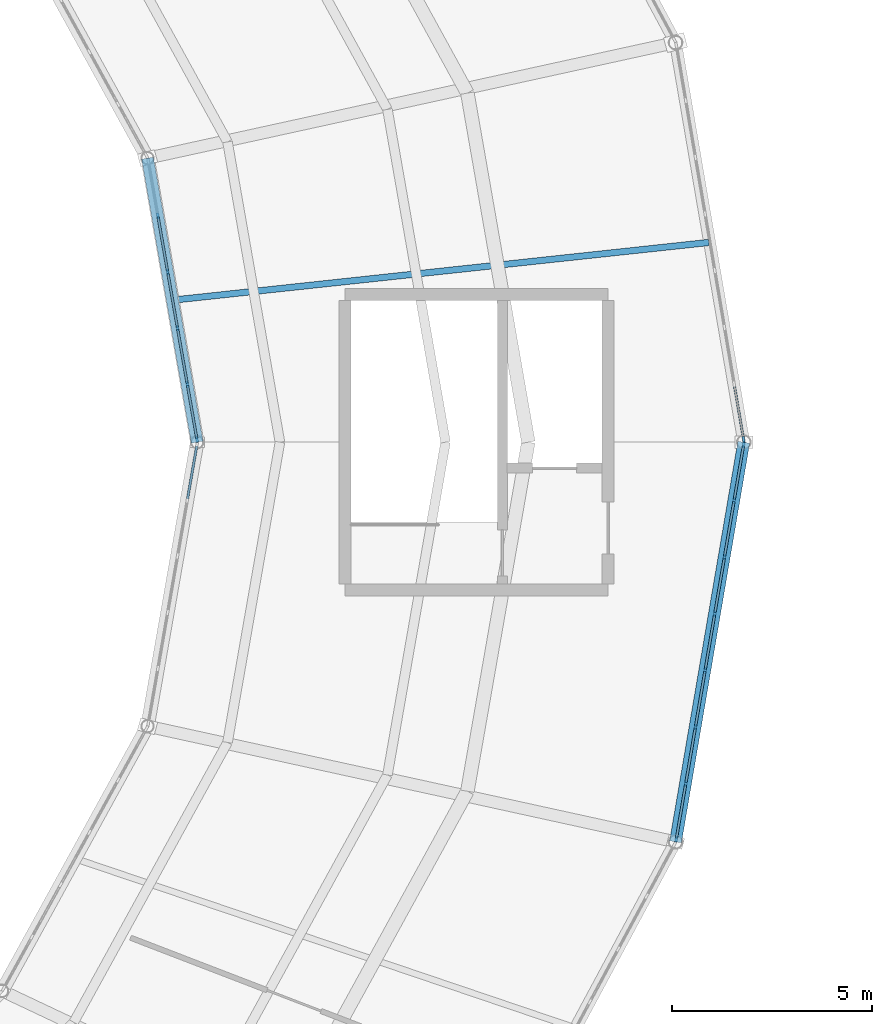
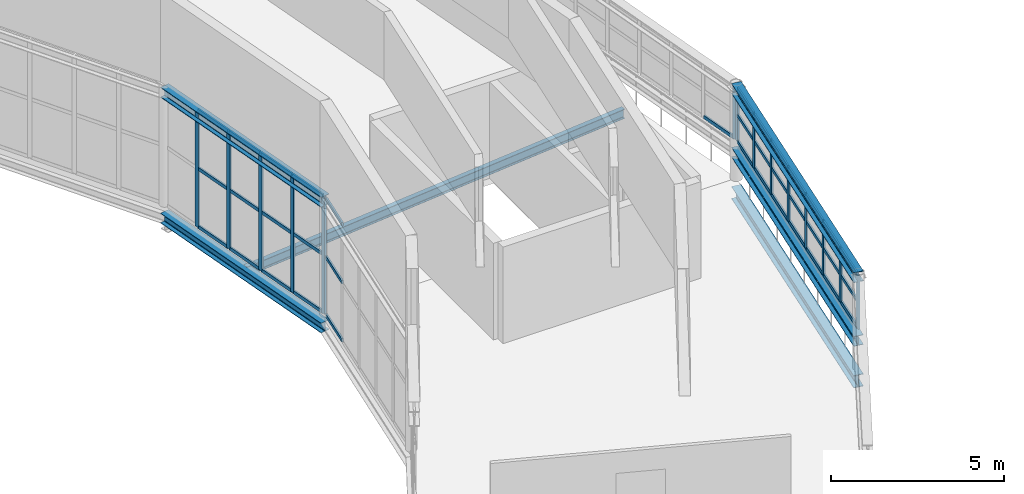
# One storey, part 64 of 123: 51 members, 6 beams, 4 elements without a shape of their own.
"""IFC4 building model written with IfcOpenShell, lengths in metres."""

import ifcopenshell
import ifcopenshell.guid

model = None  # the IFC model being written
_history = None  # IfcOwnerHistory: only IFC2X3 demands one
_inside = {}  # id of a spatial element -> (the spatial element, [elements in it])
_under = {}  # id of a project, library or spatial element -> (it, [spatial elements below it])
_declared = {}  # id of a project -> (the project, [libraries it declares])
_typed = {}  # id of a type object -> (the type object, [elements of that type])
_made_of = {}  # id of a material, layer set ... -> (it, [elements and type objects made of it])


def new_model(schema):
    """Start an empty IFC model of exactly this schema.

    Asked for "IFC4X3", IfcOpenShell would pick the latest addendum, in which some entities
    have other attributes; the version numbers below select the first issue.
    IFC2X3 requires an IfcOwnerHistory on every rooted entity: one is made here for all.
    """
    global model, _history
    if schema == "IFC4X3":
        model = ifcopenshell.file(schema_version=(4, 3, 0, 0))
    else:
        model = ifcopenshell.file(schema=schema)
    _inside.clear()
    _under.clear()
    _declared.clear()
    _typed.clear()
    _made_of.clear()
    _history = None
    if model.schema == "IFC2X3":
        org = make("IfcOrganization", Name="unknown")
        user = make(
            "IfcPersonAndOrganization",
            ThePerson=make("IfcPerson", FamilyName="unknown"),
            TheOrganization=org,
        )
        app = make(
            "IfcApplication",
            ApplicationDeveloper=org,
            Version="unknown",
            ApplicationFullName="unknown",
            ApplicationIdentifier="unknown",
        )
        _history = make(
            "IfcOwnerHistory",
            OwningUser=user,
            OwningApplication=app,
            ChangeAction="ADDED",
            CreationDate=0,
        )
    return model


def make(cls, **values):
    """One entity of the class cls with the attributes given. An attribute that is None is left unset."""
    return model.create_entity(
        cls, **{name: value for name, value in values.items() if value is not None}
    )


def rooted(cls, **values):
    """An entity with a GlobalId (a new one), such as an element, a storey or a relation."""
    return make(cls, GlobalId=ifcopenshell.guid.new(), OwnerHistory=_history, **values)


def si_unit(unit_type, name, prefix=None):
    """IfcSIUnit, for example si_unit("LENGTHUNIT", "METRE", prefix="MILLI")."""
    return make("IfcSIUnit", UnitType=unit_type, Prefix=prefix, Name=name)


def assignment(units):
    """IfcUnitAssignment: the units of a project."""
    return None if units is None else make("IfcUnitAssignment", Units=units)


def point(xyz):
    """IfcCartesianPoint."""
    return None if xyz is None else make("IfcCartesianPoint", Coordinates=xyz)


def direction(xyz):
    """IfcDirection."""
    return None if xyz is None else make("IfcDirection", DirectionRatios=xyz)


def frame(location, z_axis=None, x_axis=None):
    """IfcAxis2Placement3D, a coordinate frame: its origin and axes. An axis left out is left unset."""
    return make(
        "IfcAxis2Placement3D",
        Location=point(location),
        Axis=direction(z_axis),
        RefDirection=direction(x_axis),
    )


def frame_2d(location, x_axis=None):
    """IfcAxis2Placement2D, a coordinate frame in the plane: its origin and x axis."""
    return make(
        "IfcAxis2Placement2D", Location=point(location), RefDirection=direction(x_axis)
    )


def origin():
    """The frame at (0, 0, 0) with its axes left unset."""
    return frame((0.0, 0.0, 0.0))


def origin_2d():
    """The frame at (0, 0) in the plane with its x axis left unset."""
    return frame_2d((0.0, 0.0))


def place(relative_to, where):
    """IfcLocalPlacement: puts the frame where relative to a parent placement (None: the world)."""
    return make(
        "IfcLocalPlacement", PlacementRelTo=relative_to, RelativePlacement=where
    )


def context(
    kind, dimensions, precision=None, world=None, true_north=None, identifier=None
):
    """IfcGeometricRepresentationContext, for example the 3D "Model" context."""
    return make(
        "IfcGeometricRepresentationContext",
        ContextIdentifier=identifier,
        ContextType=kind,
        CoordinateSpaceDimension=dimensions,
        Precision=precision,
        WorldCoordinateSystem=world,
        TrueNorth=true_north,
    )


def subcontext(parent, identifier, kind, view, scale=None):
    """IfcGeometricRepresentationSubContext, for example "Body" below "Model"."""
    return make(
        "IfcGeometricRepresentationSubContext",
        ContextIdentifier=identifier,
        ContextType=kind,
        ParentContext=parent,
        TargetScale=scale,
        TargetView=view,
    )


def project(units=None, contexts=None):
    """IfcProject with its units and contexts."""
    return rooted(
        "IfcProject",
        Name="project",
        RepresentationContexts=contexts,
        UnitsInContext=assignment(units),
    )


def spatial(cls, under=None, at=None, **own):
    """A site, building, storey or space (cls), placed at a placement, below another one or the project."""
    s = rooted(cls, ObjectPlacement=at, **own)
    if under is not None:
        _under.setdefault(under.id(), (under, []))[1].append(s)
    return s


def profile(cls, at=None, kind="AREA", **sizes):
    """A parametric profile (cls). Its sizes go by their IFC names, for example OverallWidth=200.0."""
    return make(cls, ProfileType=kind, Position=at, **sizes)


def rectangle(**sizes):
    """IfcRectangleProfileDef."""
    return profile("IfcRectangleProfileDef", **sizes)


def i_section(**sizes):
    """IfcIShapeProfileDef."""
    return profile("IfcIShapeProfileDef", **sizes)


def extrude(swept, where, along, depth):
    """IfcExtrudedAreaSolid: the profile swept, set in the frame where, extruded along a direction by depth."""
    return make(
        "IfcExtrudedAreaSolid",
        SweptArea=swept,
        Position=where,
        ExtrudedDirection=direction(along),
        Depth=depth,
    )


def shape(context_of_items, identifier, shape_type, items):
    """IfcShapeRepresentation: the items that make up one representation, for example the "Body"."""
    return make(
        "IfcShapeRepresentation",
        ContextOfItems=context_of_items,
        RepresentationIdentifier=identifier,
        RepresentationType=shape_type,
        Items=items,
    )


def material(Name=None, Category=None):
    """IfcMaterial."""
    return make("IfcMaterial", Name=Name, Category=Category)


def material_profile(
    of_material, cross_section, Name=None, Category=None, Priority=None
):
    """IfcMaterialProfile: a cross section and its material."""
    return make(
        "IfcMaterialProfile",
        Name=Name,
        Material=of_material,
        Profile=cross_section,
        Priority=Priority,
        Category=Category,
    )


def profile_set(profiles, Name=None, composite=None):
    """IfcMaterialProfileSet."""
    return make(
        "IfcMaterialProfileSet",
        Name=Name,
        MaterialProfiles=profiles,
        CompositeProfile=composite,
    )


def made_of(thing, what):
    """Note that an element or type object is made of a material, layer set ...; save() writes the relation."""
    if what is not None:
        _made_of.setdefault(what.id(), (what, []))[1].append(thing)
    return thing


def type_object(cls, material=None, **own):
    """A type object (cls), such as IfcWallType, which elements share."""
    return made_of(rooted(cls, **own), material)


def element(
    cls,
    number,
    at=None,
    inside=None,
    cuts=None,
    type_object=None,
    material=None,
    context=None,
    identifier="Body",
    shape_type=None,
    held_by="IfcProductDefinitionShape",
    body=None,
    shapes=None,
    **own,
):
    """One element of the class cls, such as IfcWall. Its Tag is "e" and its number.

    at: its placement. inside: the storey or other place that contains it. cuts: it is an
    opening in that element (IfcRelVoidsElement). A single representation is given by context,
    identifier, shape_type and body (its items); several are given by shapes. held_by: the class
    of the entity that holds the representations. save() writes the other relations.
    """
    e = rooted(cls, Tag="e%d" % number, ObjectPlacement=at, **own)
    if body is not None:
        shapes = [shape(context, identifier, shape_type, body)]
    if shapes is not None:
        e.Representation = make(held_by, Representations=shapes)
    if inside is not None:
        _inside.setdefault(inside.id(), (inside, []))[1].append(e)
    if cuts is not None:
        rooted(
            "IfcRelVoidsElement", RelatingBuildingElement=cuts, RelatedOpeningElement=e
        )
    if type_object is not None:
        _typed.setdefault(type_object.id(), (type_object, []))[1].append(e)
    return made_of(e, material)


def aggregate(whole, parts):
    """IfcRelAggregates: a whole, such as a stair, and the parts it consists of."""
    return rooted("IfcRelAggregates", RelatingObject=whole, RelatedObjects=parts)


def save(model, path):
    """Write the relations noted so far, then the file.

    IfcRelAggregates (storeys below a building ...), IfcRelContainedInSpatialStructure (elements
    in a storey), IfcRelDefinesByType, IfcRelAssociatesMaterial and IfcRelDeclares: one each for
    every whole, place, type object, material and project.
    """
    for whole, parts in _under.values():
        aggregate(whole, parts)
    for where, things in _inside.values():
        rooted(
            "IfcRelContainedInSpatialStructure",
            RelatedElements=things,
            RelatingStructure=where,
        )
    for kind, things in _typed.values():
        rooted("IfcRelDefinesByType", RelatedObjects=things, RelatingType=kind)
    for what, things in _made_of.values():
        rooted("IfcRelAssociatesMaterial", RelatedObjects=things, RelatingMaterial=what)
    for by, libraries in _declared.values():
        rooted("IfcRelDeclares", RelatingContext=by, RelatedDefinitions=libraries)
    model.write(path)


model = new_model("IFC4")

# Units and contexts
model_context = context("Model", 3, precision=1e-05, world=origin(), true_north=direction((0.0, 1.0)))
body_context = subcontext(model_context, "Body", "Model", "MODEL_VIEW")
ifc_project = project(units=[si_unit("LENGTHUNIT", "METRE"), si_unit("AREAUNIT", "SQUARE_METRE"), si_unit("VOLUMEUNIT", "CUBIC_METRE"), si_unit("PLANEANGLEUNIT", "RADIAN"), si_unit("MASSUNIT", "GRAM", prefix="KILO")], contexts=[model_context])

# Site, building, storey
site_placement = place(None, origin())
site = spatial("IfcSite", under=ifc_project, at=site_placement, CompositionType="ELEMENT")
building_placement = place(site_placement, origin())
building = spatial("IfcBuilding", under=site, at=building_placement, Name="Kildeholm Park Wholesale Market", CompositionType="ELEMENT")
storey_placement = place(building_placement, frame((0.0, 0.0, 9.60009765625)))
storey = spatial("IfcBuildingStorey", under=building, at=storey_placement, Name="L02", CompositionType="ELEMENT", Elevation=9.60009765625)

# Beams
ifc_material_1 = material(Name="Steel S355", Category="steel")
ifc_material_profile_1 = material_profile(ifc_material_1, i_section(OverallWidth=0.300048828125, OverallDepth=0.35009765625, WebThickness=0.010009765625, FlangeThickness=0.017578125, FilletRadius=0.027099609375, at=origin_2d()), Name="HEA 360")
ifc_profile_set_1 = profile_set([ifc_material_profile_1], Name="Steel S355")
beam_type_1 = type_object("IfcBeamType", Name="Beam B-R01 HEA 360", PredefinedType="BEAM", material=ifc_profile_set_1)
beam_1_placement = place(storey_placement, frame((135.5, 89.5, -0.42919921875), z_axis=(-0.172146745201, 0.985071316259, 0.0), x_axis=(-0.985071316259, -0.172146745201, 0.0)))
element("IfcBeam", 1, at=beam_1_placement, inside=storey, type_object=beam_type_1, Name="Beam BM-V1-L02-CI-00 BM-0005", PredefinedType="BEAM", context=body_context, shape_type="SweptSolid", body=[
    extrude(i_section(OverallWidth=0.300048828125, OverallDepth=0.35009765625, WebThickness=0.010009765625, FlangeThickness=0.017578125, FilletRadius=0.027099609375, at=origin_2d()), origin(), (0.0, 0.0, 1.0), 7.225830078125),
])
beam_2_placement = place(storey_placement, frame((147.489013671875, 79.48388671875, 0.94775390625), z_axis=(0.168379597692, 0.985722228156, 0.0), x_axis=(-0.985722228156, 0.168379597692, 0.0)))
element("IfcBeam", 2, at=beam_2_placement, inside=storey, type_object=beam_type_1, Name="Beam BM-V1-S1IN-23 BM-0359", PredefinedType="BEAM", context=body_context, shape_type="SweptSolid", body=[
    extrude(i_section(OverallWidth=0.300048828125, OverallDepth=0.35009765625, WebThickness=0.010009765625, FlangeThickness=0.017578125, FilletRadius=0.027099609375, at=origin_2d()), origin(), (0.0, 0.0, 1.0), 10.1611328125),
])
ifc_material_profile_2 = material_profile(ifc_material_1, i_section(OverallWidth=0.300048828125, OverallDepth=0.43994140625, WebThickness=0.011474609375, FlangeThickness=0.02099609375, FilletRadius=0.027099609375, at=origin_2d()), Name="HEA 450")
ifc_profile_set_2 = profile_set([ifc_material_profile_2], Name="Steel S355")
beam_type_2 = type_object("IfcBeamType", Name="Beam B-R02 HEA 450", PredefinedType="BEAM", material=ifc_profile_set_2)
beam_3_placement = place(storey_placement, frame((147.489013671875, 79.48388671875, -0.47412109375), z_axis=(0.168379597692, 0.985722228156, 0.0), x_axis=(-0.985722228156, 0.168379597692, 0.0)))
element("IfcBeam", 3, at=beam_3_placement, inside=storey, type_object=beam_type_2, Name="Beam BM-V1-L02-CM-23 BM-0217", PredefinedType="BEAM", context=body_context, shape_type="SweptSolid", body=[
    extrude(i_section(OverallWidth=0.300048828125, OverallDepth=0.43994140625, WebThickness=0.011474609375, FlangeThickness=0.02099609375, FilletRadius=0.027099609375, at=origin_2d()), origin(), (0.0, 0.0, 1.0), 10.1611328125),
])
ifc_material_profile_3 = material_profile(ifc_material_1, i_section(OverallWidth=0.300048828125, OverallDepth=0.360107421875, WebThickness=0.012451171875, FlangeThickness=0.0224609375, FilletRadius=0.027099609375, at=origin_2d()), Name="HEB 360")
ifc_profile_set_3 = profile_set([ifc_material_profile_3], Name="Steel S355")
beam_type_3 = type_object("IfcBeamType", Name="Beam B-R03 HEB 360", PredefinedType="BEAM", material=ifc_profile_set_3)
beam_4_placement = place(storey_placement, frame((135.5, 89.5, 4.002685546875), z_axis=(-0.172146745201, 0.985071316259, 0.0), x_axis=(-0.985071316259, -0.172146745201, 0.0)))
element("IfcBeam", 4, at=beam_4_placement, inside=storey, type_object=beam_type_3, Name="Beam BM-V1-RF-IN-00 BM-0223", PredefinedType="BEAM", context=body_context, shape_type="SweptSolid", body=[
    extrude(i_section(OverallWidth=0.300048828125, OverallDepth=0.360107421875, WebThickness=0.012451171875, FlangeThickness=0.0224609375, FilletRadius=0.027099609375, at=origin_2d()), origin(), (0.0, 0.0, 1.0), 7.225830078125),
])
beam_5_placement = place(storey_placement, frame((147.489013671875, 79.48388671875, 3.19091796875), z_axis=(0.168379597692, 0.985722228156, 0.0), x_axis=(-0.985722228156, 0.168379597692, 0.0)))
element("IfcBeam", 5, at=beam_5_placement, inside=storey, type_object=beam_type_3, Name="Beam BM-V1-RF-M1-23 BM-0360", PredefinedType="BEAM", context=body_context, shape_type="SweptSolid", body=[
    extrude(i_section(OverallWidth=0.300048828125, OverallDepth=0.360107421875, WebThickness=0.012451171875, FlangeThickness=0.0224609375, FilletRadius=0.027099609375, at=origin_2d()), origin(), (0.0, 0.0, 1.0), 10.1611328125),
])
ifc_material_profile_4 = material_profile(ifc_material_1, i_section(OverallWidth=0.159912109375, OverallDepth=0.330078125, WebThickness=0.007568359375, FlangeThickness=0.011474609375, FilletRadius=0.01806640625, at=origin_2d()), Name="IPE 330")
ifc_profile_set_4 = profile_set([ifc_material_profile_4], Name="Steel S355")
beam_type_4 = type_object("IfcBeamType", Name="Beam J-03 IPE 330", PredefinedType="JOIST", material=ifc_profile_set_4)
beam_6_placement = place(storey_placement, frame((134.89794921875, 93.06103515625, -0.4150390625), z_axis=(0.994260078886, 0.106990165591, 0.0), x_axis=(-0.106990165591, 0.994260078886, 0.0)))
element("IfcBeam", 6, at=beam_6_placement, inside=storey, type_object=beam_type_4, Name="Beam JT-V1-L02-00 BM-0008", PredefinedType="JOIST", context=body_context, shape_type="SweptSolid", body=[
    extrude(i_section(OverallWidth=0.159912109375, OverallDepth=0.330078125, WebThickness=0.007568359375, FlangeThickness=0.011474609375, FilletRadius=0.01806640625, at=origin_2d()), origin(), (0.0, 0.0, 1.0), 13.504150390625),
])

# Curtain wall, member
ifc_material_2 = material(Name="Anodised aluminium and low-E double-glazed glass", Category="aluminium")
curtain_wall_type = type_object("IfcCurtainWallType", Name="Clerestory daylight stick curtain wall CW-02", PredefinedType="NOTDEFINED", material=ifc_material_2)
curtain_wall_1_placement = place(storey_placement, origin())
curtain_wall_1 = element("IfcCurtainWall", 7, at=curtain_wall_1_placement, inside=storey, type_object=curtain_wall_type, Name="Curtain wall CW-V1-CL-00 CW-0002", PredefinedType="NOTDEFINED")
ifc_material_3 = material(Name="Anodised aluminium", Category="aluminium")
ifc_material_profile_5 = material_profile(ifc_material_3, rectangle(XDim=0.06005859375, YDim=0.14990234375, at=origin_2d()), Name="CWM 60x150")
ifc_profile_set_5 = profile_set([ifc_material_profile_5], Name="Anodised aluminium")
member_type_1 = type_object("IfcMemberType", Name="Curtain-wall mullion CWM-3 CWM 60x150", PredefinedType="MULLION", material=ifc_profile_set_5)
member_1_placement = place(storey_placement, frame((149.195068359375, 89.569580078125, 1.349853515625), z_axis=(0.0, 0.0, 1.0), x_axis=(-0.985732010437, -0.168322320564, 0.0)))
member_1 = element("IfcMember", 8, at=member_1_placement, type_object=member_type_1, Name="CW-02 mullion 1 MEM-0427", PredefinedType="MULLION", context=body_context, shape_type="SweptSolid", body=[
    extrude(rectangle(XDim=0.06005859375, YDim=0.14990234375, at=origin_2d()), origin(), (0.0, 0.0, 1.0), 1.900146484375),
])

# Curtain wall, members
curtain_wall_2_placement = place(storey_placement, origin())
curtain_wall_2 = element("IfcCurtainWall", 9, at=curtain_wall_2_placement, inside=storey, type_object=curtain_wall_type, Name="Curtain wall CW-V1-IN2-00 CW-0005", PredefinedType="NOTDEFINED")
member_2_placement = place(storey_placement, frame((135.494873046875, 89.569580078125, 0.0), z_axis=(0.0, 0.0, 1.0), x_axis=(-0.985073802851, -0.172132515628, 0.0)))
member_2 = element("IfcMember", 10, at=member_2_placement, type_object=member_type_1, Name="CW-02 mullion 1 MEM-0498", PredefinedType="MULLION", context=body_context, shape_type="SweptSolid", body=[
    extrude(rectangle(XDim=0.06005859375, YDim=0.14990234375, at=origin_2d()), origin(), (0.0, 0.0, 1.0), 4.14990234375),
])
member_3_placement = place(storey_placement, frame((135.25390625, 90.94775390625, 0.0), z_axis=(0.0, 0.0, 1.0), x_axis=(-0.985073802851, -0.172132515628, 0.0)))
member_3 = element("IfcMember", 11, at=member_3_placement, type_object=member_type_1, Name="CW-02 mullion 2 MEM-0499", PredefinedType="MULLION", context=body_context, shape_type="SweptSolid", body=[
    extrude(rectangle(XDim=0.06005859375, YDim=0.14990234375, at=origin_2d()), origin(), (0.0, 0.0, 1.0), 4.14990234375),
])
member_4_placement = place(storey_placement, frame((135.008056640625, 92.355712890625, 0.0), z_axis=(0.0, 0.0, 1.0), x_axis=(-0.985073802851, -0.172132515628, 0.0)))
member_4 = element("IfcMember", 12, at=member_4_placement, type_object=member_type_1, Name="CW-02 mullion 3 MEM-0500", PredefinedType="MULLION", context=body_context, shape_type="SweptSolid", body=[
    extrude(rectangle(XDim=0.06005859375, YDim=0.14990234375, at=origin_2d()), origin(), (0.0, 0.0, 1.0), 4.14990234375),
])
member_5_placement = place(storey_placement, frame((134.761962890625, 93.763427734375, 0.0), z_axis=(0.0, 0.0, 1.0), x_axis=(-0.985073802851, -0.172132515628, 0.0)))
member_5 = element("IfcMember", 13, at=member_5_placement, type_object=member_type_1, Name="CW-02 mullion 4 MEM-0501", PredefinedType="MULLION", context=body_context, shape_type="SweptSolid", body=[
    extrude(rectangle(XDim=0.06005859375, YDim=0.14990234375, at=origin_2d()), origin(), (0.0, 0.0, 1.0), 4.14990234375),
])
member_6_placement = place(storey_placement, frame((134.51611328125, 95.171142578125, 0.0), z_axis=(0.0, 0.0, 1.0), x_axis=(-0.985073802851, -0.172132515628, 0.0)))
member_6 = element("IfcMember", 14, at=member_6_placement, type_object=member_type_1, Name="CW-02 mullion 5 MEM-0502", PredefinedType="MULLION", context=body_context, shape_type="SweptSolid", body=[
    extrude(rectangle(XDim=0.06005859375, YDim=0.14990234375, at=origin_2d()), origin(), (0.0, 0.0, 1.0), 4.14990234375),
])

curtain_wall_3_placement = place(storey_placement, origin())
curtain_wall_3 = element("IfcCurtainWall", 15, at=curtain_wall_3_placement, inside=storey, type_object=curtain_wall_type, Name="Curtain wall CW-V1-CL-23 CW-0115", PredefinedType="NOTDEFINED")
member_7_placement = place(storey_placement, frame((147.508056640625, 79.551513671875, 1.349853515625), z_axis=(0.0, 0.0, 1.0), x_axis=(-0.985732010437, 0.168322320564, 0.0)))
member_7 = element("IfcMember", 16, at=member_7_placement, type_object=member_type_1, Name="CW-02 mullion 1 MEM-3556", PredefinedType="MULLION", context=body_context, shape_type="SweptSolid", body=[
    extrude(rectangle(XDim=0.06005859375, YDim=0.14990234375, at=origin_2d()), origin(), (0.0, 0.0, 1.0), 1.900146484375),
])
member_8_placement = place(storey_placement, frame((147.745361328125, 80.941650390625, 1.349853515625), z_axis=(0.0, 0.0, 1.0), x_axis=(-0.985732010437, 0.168322320564, 0.0)))
member_8 = element("IfcMember", 17, at=member_8_placement, type_object=member_type_1, Name="CW-02 mullion 2 MEM-3557", PredefinedType="MULLION", context=body_context, shape_type="SweptSolid", body=[
    extrude(rectangle(XDim=0.06005859375, YDim=0.14990234375, at=origin_2d()), origin(), (0.0, 0.0, 1.0), 1.900146484375),
])
member_9_placement = place(storey_placement, frame((147.98779296875, 82.361328125, 1.349853515625), z_axis=(0.0, 0.0, 1.0), x_axis=(-0.985732010437, 0.168322320564, 0.0)))
member_9 = element("IfcMember", 18, at=member_9_placement, type_object=member_type_1, Name="CW-02 mullion 3 MEM-3558", PredefinedType="MULLION", context=body_context, shape_type="SweptSolid", body=[
    extrude(rectangle(XDim=0.06005859375, YDim=0.14990234375, at=origin_2d()), origin(), (0.0, 0.0, 1.0), 1.900146484375),
])
member_10_placement = place(storey_placement, frame((148.230224609375, 83.78125, 1.349853515625), z_axis=(0.0, 0.0, 1.0), x_axis=(-0.985732010437, 0.168322320564, 0.0)))
member_10 = element("IfcMember", 19, at=member_10_placement, type_object=member_type_1, Name="CW-02 mullion 4 MEM-3559", PredefinedType="MULLION", context=body_context, shape_type="SweptSolid", body=[
    extrude(rectangle(XDim=0.06005859375, YDim=0.14990234375, at=origin_2d()), origin(), (0.0, 0.0, 1.0), 1.900146484375),
])
member_11_placement = place(storey_placement, frame((148.47265625, 85.200927734375, 1.349853515625), z_axis=(0.0, 0.0, 1.0), x_axis=(-0.985732010437, 0.168322320564, 0.0)))
member_11 = element("IfcMember", 20, at=member_11_placement, type_object=member_type_1, Name="CW-02 mullion 5 MEM-3560", PredefinedType="MULLION", context=body_context, shape_type="SweptSolid", body=[
    extrude(rectangle(XDim=0.06005859375, YDim=0.14990234375, at=origin_2d()), origin(), (0.0, 0.0, 1.0), 1.900146484375),
])
member_12_placement = place(storey_placement, frame((148.715087890625, 86.62060546875, 1.349853515625), z_axis=(0.0, 0.0, 1.0), x_axis=(-0.985732010437, 0.168322320564, 0.0)))
member_12 = element("IfcMember", 21, at=member_12_placement, type_object=member_type_1, Name="CW-02 mullion 6 MEM-3561", PredefinedType="MULLION", context=body_context, shape_type="SweptSolid", body=[
    extrude(rectangle(XDim=0.06005859375, YDim=0.14990234375, at=origin_2d()), origin(), (0.0, 0.0, 1.0), 1.900146484375),
])
member_13_placement = place(storey_placement, frame((148.95751953125, 88.040283203125, 1.349853515625), z_axis=(0.0, 0.0, 1.0), x_axis=(-0.985732010437, 0.168322320564, 0.0)))
member_13 = element("IfcMember", 22, at=member_13_placement, type_object=member_type_1, Name="CW-02 mullion 7 MEM-3562", PredefinedType="MULLION", context=body_context, shape_type="SweptSolid", body=[
    extrude(rectangle(XDim=0.06005859375, YDim=0.14990234375, at=origin_2d()), origin(), (0.0, 0.0, 1.0), 1.900146484375),
])
member_14_placement = place(storey_placement, frame((149.195068359375, 89.430419921875, 1.349853515625), z_axis=(0.0, 0.0, 1.0), x_axis=(-0.985732010437, 0.168322320564, 0.0)))
member_14 = element("IfcMember", 23, at=member_14_placement, type_object=member_type_1, Name="CW-02 mullion 8 MEM-3563", PredefinedType="MULLION", context=body_context, shape_type="SweptSolid", body=[
    extrude(rectangle(XDim=0.06005859375, YDim=0.14990234375, at=origin_2d()), origin(), (0.0, 0.0, 1.0), 1.900146484375),
])

# Member
ifc_material_profile_6 = material_profile(ifc_material_3, rectangle(XDim=0.06005859375, YDim=0.1201171875, at=origin_2d()), Name="CWT 60x120")
ifc_profile_set_6 = profile_set([ifc_material_profile_6], Name="Anodised aluminium")
member_type_2 = type_object("IfcMemberType", Name="Curtain-wall transom CWT-3 CWT 60x120", PredefinedType="USERDEFINED", material=ifc_profile_set_6)
member_15_placement = place(storey_placement, frame((149.18994140625, 89.59912109375, 1.3798828125), z_axis=(-0.168326457098, 0.985731304079, 0.0), x_axis=(-0.985731304079, -0.168326457098, 0.0)))
member_15 = element("IfcMember", 24, at=member_15_placement, type_object=member_type_2, Name="CW-02 transom 1.1 MEM-0435", ObjectType="TRANSOM", PredefinedType="USERDEFINED", context=body_context, shape_type="SweptSolid", body=[
    extrude(rectangle(XDim=0.06005859375, YDim=0.1201171875, at=origin_2d()), origin(), (0.0, 0.0, 1.0), 1.350341796875),
])

aggregate(curtain_wall_1, [member_1, member_15])

member_16_placement = place(storey_placement, frame((135.48974609375, 89.59912109375, 0.02978515625), z_axis=(-0.172110548446, 0.98507764116, 0.0), x_axis=(-0.98507764116, -0.172110548446, 0.0)))
member_16 = element("IfcMember", 25, at=member_16_placement, type_object=member_type_2, Name="CW-02 transom 1.1 MEM-0504", ObjectType="TRANSOM", PredefinedType="USERDEFINED", context=body_context, shape_type="SweptSolid", body=[
    extrude(rectangle(XDim=0.06005859375, YDim=0.1201171875, at=origin_2d()), origin(), (0.0, 0.0, 1.0), 1.339111328125),
])

member_17_placement = place(storey_placement, frame((135.48974609375, 89.59912109375, 2.074951171875), z_axis=(-0.172110548446, 0.98507764116, 0.0), x_axis=(-0.98507764116, -0.172110548446, 0.0)))
member_17 = element("IfcMember", 26, at=member_17_placement, type_object=member_type_2, Name="CW-02 transom 1.2 MEM-0505", ObjectType="TRANSOM", PredefinedType="USERDEFINED", context=body_context, shape_type="SweptSolid", body=[
    extrude(rectangle(XDim=0.06005859375, YDim=0.1201171875, at=origin_2d()), origin(), (0.0, 0.0, 1.0), 1.339111328125),
])

member_18_placement = place(storey_placement, frame((135.48974609375, 89.59912109375, 4.119873046875), z_axis=(-0.172110548446, 0.98507764116, 0.0), x_axis=(-0.98507764116, -0.172110548446, 0.0)))
member_18 = element("IfcMember", 27, at=member_18_placement, type_object=member_type_2, Name="CW-02 transom 1.3 MEM-0506", ObjectType="TRANSOM", PredefinedType="USERDEFINED", context=body_context, shape_type="SweptSolid", body=[
    extrude(rectangle(XDim=0.06005859375, YDim=0.1201171875, at=origin_2d()), origin(), (0.0, 0.0, 1.0), 1.339111328125),
])

member_19_placement = place(storey_placement, frame((135.248779296875, 90.977294921875, 0.02978515625), z_axis=(-0.172086175377, 0.985081899257, 0.0), x_axis=(-0.985081899257, -0.172086175377, 0.0)))
member_19 = element("IfcMember", 28, at=member_19_placement, type_object=member_type_2, Name="CW-02 transom 2.1 MEM-0507", ObjectType="TRANSOM", PredefinedType="USERDEFINED", context=body_context, shape_type="SweptSolid", body=[
    extrude(rectangle(XDim=0.06005859375, YDim=0.1201171875, at=origin_2d()), origin(), (0.0, 0.0, 1.0), 1.369140625),
])

member_20_placement = place(storey_placement, frame((135.248779296875, 90.977294921875, 2.074951171875), z_axis=(-0.172086175377, 0.985081899257, 0.0), x_axis=(-0.985081899257, -0.172086175377, 0.0)))
member_20 = element("IfcMember", 29, at=member_20_placement, type_object=member_type_2, Name="CW-02 transom 2.2 MEM-0508", ObjectType="TRANSOM", PredefinedType="USERDEFINED", context=body_context, shape_type="SweptSolid", body=[
    extrude(rectangle(XDim=0.06005859375, YDim=0.1201171875, at=origin_2d()), origin(), (0.0, 0.0, 1.0), 1.369140625),
])

member_21_placement = place(storey_placement, frame((135.248779296875, 90.977294921875, 4.119873046875), z_axis=(-0.172086175377, 0.985081899257, 0.0), x_axis=(-0.985081899257, -0.172086175377, 0.0)))
member_21 = element("IfcMember", 30, at=member_21_placement, type_object=member_type_2, Name="CW-02 transom 2.3 MEM-0509", ObjectType="TRANSOM", PredefinedType="USERDEFINED", context=body_context, shape_type="SweptSolid", body=[
    extrude(rectangle(XDim=0.06005859375, YDim=0.1201171875, at=origin_2d()), origin(), (0.0, 0.0, 1.0), 1.369140625),
])

member_22_placement = place(storey_placement, frame((135.0029296875, 92.38525390625, 0.02978515625), z_axis=(-0.172259214119, 0.985051655067, 0.0), x_axis=(-0.985051655067, -0.172259214119, 0.0)))
member_22 = element("IfcMember", 31, at=member_22_placement, type_object=member_type_2, Name="CW-02 transom 3.1 MEM-0510", ObjectType="TRANSOM", PredefinedType="USERDEFINED", context=body_context, shape_type="SweptSolid", body=[
    extrude(rectangle(XDim=0.06005859375, YDim=0.1201171875, at=origin_2d()), origin(), (0.0, 0.0, 1.0), 1.369140625),
])

member_23_placement = place(storey_placement, frame((135.0029296875, 92.38525390625, 2.074951171875), z_axis=(-0.172259214119, 0.985051655067, 0.0), x_axis=(-0.985051655067, -0.172259214119, 0.0)))
member_23 = element("IfcMember", 32, at=member_23_placement, type_object=member_type_2, Name="CW-02 transom 3.2 MEM-0511", ObjectType="TRANSOM", PredefinedType="USERDEFINED", context=body_context, shape_type="SweptSolid", body=[
    extrude(rectangle(XDim=0.06005859375, YDim=0.1201171875, at=origin_2d()), origin(), (0.0, 0.0, 1.0), 1.369140625),
])

member_24_placement = place(storey_placement, frame((135.0029296875, 92.38525390625, 4.119873046875), z_axis=(-0.172259214119, 0.985051655067, 0.0), x_axis=(-0.985051655067, -0.172259214119, 0.0)))
member_24 = element("IfcMember", 33, at=member_24_placement, type_object=member_type_2, Name="CW-02 transom 3.3 MEM-0512", ObjectType="TRANSOM", PredefinedType="USERDEFINED", context=body_context, shape_type="SweptSolid", body=[
    extrude(rectangle(XDim=0.06005859375, YDim=0.1201171875, at=origin_2d()), origin(), (0.0, 0.0, 1.0), 1.369140625),
])

member_25_placement = place(storey_placement, frame((134.7568359375, 93.79296875, 0.02978515625), z_axis=(-0.172086175377, 0.985081899257, 0.0), x_axis=(-0.985081899257, -0.172086175377, 0.0)))
member_25 = element("IfcMember", 34, at=member_25_placement, type_object=member_type_2, Name="CW-02 transom 4.1 MEM-0513", ObjectType="TRANSOM", PredefinedType="USERDEFINED", context=body_context, shape_type="SweptSolid", body=[
    extrude(rectangle(XDim=0.06005859375, YDim=0.1201171875, at=origin_2d()), origin(), (0.0, 0.0, 1.0), 1.369140625),
])

member_26_placement = place(storey_placement, frame((134.7568359375, 93.79296875, 2.074951171875), z_axis=(-0.172086175377, 0.985081899257, 0.0), x_axis=(-0.985081899257, -0.172086175377, 0.0)))
member_26 = element("IfcMember", 35, at=member_26_placement, type_object=member_type_2, Name="CW-02 transom 4.2 MEM-0514", ObjectType="TRANSOM", PredefinedType="USERDEFINED", context=body_context, shape_type="SweptSolid", body=[
    extrude(rectangle(XDim=0.06005859375, YDim=0.1201171875, at=origin_2d()), origin(), (0.0, 0.0, 1.0), 1.369140625),
])

member_27_placement = place(storey_placement, frame((134.7568359375, 93.79296875, 4.119873046875), z_axis=(-0.172086175377, 0.985081899257, 0.0), x_axis=(-0.985081899257, -0.172086175377, 0.0)))
member_27 = element("IfcMember", 36, at=member_27_placement, type_object=member_type_2, Name="CW-02 transom 4.3 MEM-0515", ObjectType="TRANSOM", PredefinedType="USERDEFINED", context=body_context, shape_type="SweptSolid", body=[
    extrude(rectangle(XDim=0.06005859375, YDim=0.1201171875, at=origin_2d()), origin(), (0.0, 0.0, 1.0), 1.369140625),
])

aggregate(curtain_wall_2, [member_2, member_3, member_4, member_5, member_6, member_16, member_17, member_18, member_19, member_20, member_21, member_22, member_23, member_24, member_25, member_26, member_27])

member_28_placement = place(storey_placement, frame((147.51318359375, 79.5810546875, 1.3798828125), z_axis=(0.168326457098, 0.985731304079, 0.0), x_axis=(-0.985731304079, 0.168326457098, 0.0)))
member_28 = element("IfcMember", 37, at=member_28_placement, type_object=member_type_2, Name="CW-02 transom 1.1 MEM-3564", ObjectType="TRANSOM", PredefinedType="USERDEFINED", context=body_context, shape_type="SweptSolid", body=[
    extrude(rectangle(XDim=0.06005859375, YDim=0.1201171875, at=origin_2d()), origin(), (0.0, 0.0, 1.0), 1.350341796875),
])

member_29_placement = place(storey_placement, frame((147.51318359375, 79.5810546875, 2.2998046875), z_axis=(0.168326457098, 0.985731304079, 0.0), x_axis=(-0.985731304079, 0.168326457098, 0.0)))
member_29 = element("IfcMember", 38, at=member_29_placement, type_object=member_type_2, Name="CW-02 transom 1.2 MEM-3565", ObjectType="TRANSOM", PredefinedType="USERDEFINED", context=body_context, shape_type="SweptSolid", body=[
    extrude(rectangle(XDim=0.06005859375, YDim=0.1201171875, at=origin_2d()), origin(), (0.0, 0.0, 1.0), 1.350341796875),
])

member_30_placement = place(storey_placement, frame((147.51318359375, 79.5810546875, 3.219970703125), z_axis=(0.168326457098, 0.985731304079, 0.0), x_axis=(-0.985731304079, 0.168326457098, 0.0)))
member_30 = element("IfcMember", 39, at=member_30_placement, type_object=member_type_2, Name="CW-02 transom 1.3 MEM-3566", ObjectType="TRANSOM", PredefinedType="USERDEFINED", context=body_context, shape_type="SweptSolid", body=[
    extrude(rectangle(XDim=0.06005859375, YDim=0.1201171875, at=origin_2d()), origin(), (0.0, 0.0, 1.0), 1.350341796875),
])

member_31_placement = place(storey_placement, frame((147.75048828125, 80.97119140625, 1.3798828125), z_axis=(0.168384490495, 0.985721392362, 0.0), x_axis=(-0.985721392362, 0.168384490495, 0.0)))
member_31 = element("IfcMember", 40, at=member_31_placement, type_object=member_type_2, Name="CW-02 transom 2.1 MEM-3567", ObjectType="TRANSOM", PredefinedType="USERDEFINED", context=body_context, shape_type="SweptSolid", body=[
    extrude(rectangle(XDim=0.06005859375, YDim=0.1201171875, at=origin_2d()), origin(), (0.0, 0.0, 1.0), 1.38037109375),
])

member_32_placement = place(storey_placement, frame((147.75048828125, 80.97119140625, 2.2998046875), z_axis=(0.168384490495, 0.985721392362, 0.0), x_axis=(-0.985721392362, 0.168384490495, 0.0)))
member_32 = element("IfcMember", 41, at=member_32_placement, type_object=member_type_2, Name="CW-02 transom 2.2 MEM-3568", ObjectType="TRANSOM", PredefinedType="USERDEFINED", context=body_context, shape_type="SweptSolid", body=[
    extrude(rectangle(XDim=0.06005859375, YDim=0.1201171875, at=origin_2d()), origin(), (0.0, 0.0, 1.0), 1.38037109375),
])

member_33_placement = place(storey_placement, frame((147.75048828125, 80.97119140625, 3.219970703125), z_axis=(0.168384490495, 0.985721392362, 0.0), x_axis=(-0.985721392362, 0.168384490495, 0.0)))
member_33 = element("IfcMember", 42, at=member_33_placement, type_object=member_type_2, Name="CW-02 transom 2.3 MEM-3569", ObjectType="TRANSOM", PredefinedType="USERDEFINED", context=body_context, shape_type="SweptSolid", body=[
    extrude(rectangle(XDim=0.06005859375, YDim=0.1201171875, at=origin_2d()), origin(), (0.0, 0.0, 1.0), 1.38037109375),
])

member_34_placement = place(storey_placement, frame((147.992919921875, 82.39111328125, 1.3798828125), z_axis=(0.168413853198, 0.985716376069, 0.0), x_axis=(-0.985716376069, 0.168413853198, 0.0)))
member_34 = element("IfcMember", 43, at=member_34_placement, type_object=member_type_2, Name="CW-02 transom 3.1 MEM-3570", ObjectType="TRANSOM", PredefinedType="USERDEFINED", context=body_context, shape_type="SweptSolid", body=[
    extrude(rectangle(XDim=0.06005859375, YDim=0.1201171875, at=origin_2d()), origin(), (0.0, 0.0, 1.0), 1.380126953125),
])

member_35_placement = place(storey_placement, frame((147.992919921875, 82.39111328125, 2.2998046875), z_axis=(0.168413853198, 0.985716376069, 0.0), x_axis=(-0.985716376069, 0.168413853198, 0.0)))
member_35 = element("IfcMember", 44, at=member_35_placement, type_object=member_type_2, Name="CW-02 transom 3.2 MEM-3571", ObjectType="TRANSOM", PredefinedType="USERDEFINED", context=body_context, shape_type="SweptSolid", body=[
    extrude(rectangle(XDim=0.06005859375, YDim=0.1201171875, at=origin_2d()), origin(), (0.0, 0.0, 1.0), 1.380126953125),
])

member_36_placement = place(storey_placement, frame((147.992919921875, 82.39111328125, 3.219970703125), z_axis=(0.168413853198, 0.985716376069, 0.0), x_axis=(-0.985716376069, 0.168413853198, 0.0)))
member_36 = element("IfcMember", 45, at=member_36_placement, type_object=member_type_2, Name="CW-02 transom 3.3 MEM-3572", ObjectType="TRANSOM", PredefinedType="USERDEFINED", context=body_context, shape_type="SweptSolid", body=[
    extrude(rectangle(XDim=0.06005859375, YDim=0.1201171875, at=origin_2d()), origin(), (0.0, 0.0, 1.0), 1.380126953125),
])

member_37_placement = place(storey_placement, frame((148.2353515625, 83.810791015625, 1.3798828125), z_axis=(0.168384490495, 0.985721392362, 0.0), x_axis=(-0.985721392362, 0.168384490495, 0.0)))
member_37 = element("IfcMember", 46, at=member_37_placement, type_object=member_type_2, Name="CW-02 transom 4.1 MEM-3573", ObjectType="TRANSOM", PredefinedType="USERDEFINED", context=body_context, shape_type="SweptSolid", body=[
    extrude(rectangle(XDim=0.06005859375, YDim=0.1201171875, at=origin_2d()), origin(), (0.0, 0.0, 1.0), 1.38037109375),
])

member_38_placement = place(storey_placement, frame((148.2353515625, 83.810791015625, 2.2998046875), z_axis=(0.168384490495, 0.985721392362, 0.0), x_axis=(-0.985721392362, 0.168384490495, 0.0)))
member_38 = element("IfcMember", 47, at=member_38_placement, type_object=member_type_2, Name="CW-02 transom 4.2 MEM-3574", ObjectType="TRANSOM", PredefinedType="USERDEFINED", context=body_context, shape_type="SweptSolid", body=[
    extrude(rectangle(XDim=0.06005859375, YDim=0.1201171875, at=origin_2d()), origin(), (0.0, 0.0, 1.0), 1.38037109375),
])

member_39_placement = place(storey_placement, frame((148.2353515625, 83.810791015625, 3.219970703125), z_axis=(0.168384490495, 0.985721392362, 0.0), x_axis=(-0.985721392362, 0.168384490495, 0.0)))
member_39 = element("IfcMember", 48, at=member_39_placement, type_object=member_type_2, Name="CW-02 transom 4.3 MEM-3575", ObjectType="TRANSOM", PredefinedType="USERDEFINED", context=body_context, shape_type="SweptSolid", body=[
    extrude(rectangle(XDim=0.06005859375, YDim=0.1201171875, at=origin_2d()), origin(), (0.0, 0.0, 1.0), 1.38037109375),
])

member_40_placement = place(storey_placement, frame((148.477783203125, 85.23046875, 1.3798828125), z_axis=(0.168384490495, 0.985721392362, 0.0), x_axis=(-0.985721392362, 0.168384490495, 0.0)))
member_40 = element("IfcMember", 49, at=member_40_placement, type_object=member_type_2, Name="CW-02 transom 5.1 MEM-3576", ObjectType="TRANSOM", PredefinedType="USERDEFINED", context=body_context, shape_type="SweptSolid", body=[
    extrude(rectangle(XDim=0.06005859375, YDim=0.1201171875, at=origin_2d()), origin(), (0.0, 0.0, 1.0), 1.38037109375),
])

member_41_placement = place(storey_placement, frame((148.477783203125, 85.23046875, 2.2998046875), z_axis=(0.168384490495, 0.985721392362, 0.0), x_axis=(-0.985721392362, 0.168384490495, 0.0)))
member_41 = element("IfcMember", 50, at=member_41_placement, type_object=member_type_2, Name="CW-02 transom 5.2 MEM-3577", ObjectType="TRANSOM", PredefinedType="USERDEFINED", context=body_context, shape_type="SweptSolid", body=[
    extrude(rectangle(XDim=0.06005859375, YDim=0.1201171875, at=origin_2d()), origin(), (0.0, 0.0, 1.0), 1.38037109375),
])

member_42_placement = place(storey_placement, frame((148.477783203125, 85.23046875, 3.219970703125), z_axis=(0.168384490495, 0.985721392362, 0.0), x_axis=(-0.985721392362, 0.168384490495, 0.0)))
member_42 = element("IfcMember", 51, at=member_42_placement, type_object=member_type_2, Name="CW-02 transom 5.3 MEM-3578", ObjectType="TRANSOM", PredefinedType="USERDEFINED", context=body_context, shape_type="SweptSolid", body=[
    extrude(rectangle(XDim=0.06005859375, YDim=0.1201171875, at=origin_2d()), origin(), (0.0, 0.0, 1.0), 1.38037109375),
])

member_43_placement = place(storey_placement, frame((148.72021484375, 86.650146484375, 1.3798828125), z_axis=(0.168384490495, 0.985721392362, 0.0), x_axis=(-0.985721392362, 0.168384490495, 0.0)))
member_43 = element("IfcMember", 52, at=member_43_placement, type_object=member_type_2, Name="CW-02 transom 6.1 MEM-3579", ObjectType="TRANSOM", PredefinedType="USERDEFINED", context=body_context, shape_type="SweptSolid", body=[
    extrude(rectangle(XDim=0.06005859375, YDim=0.1201171875, at=origin_2d()), origin(), (0.0, 0.0, 1.0), 1.38037109375),
])

member_44_placement = place(storey_placement, frame((148.72021484375, 86.650146484375, 2.2998046875), z_axis=(0.168384490495, 0.985721392362, 0.0), x_axis=(-0.985721392362, 0.168384490495, 0.0)))
member_44 = element("IfcMember", 53, at=member_44_placement, type_object=member_type_2, Name="CW-02 transom 6.2 MEM-3580", ObjectType="TRANSOM", PredefinedType="USERDEFINED", context=body_context, shape_type="SweptSolid", body=[
    extrude(rectangle(XDim=0.06005859375, YDim=0.1201171875, at=origin_2d()), origin(), (0.0, 0.0, 1.0), 1.38037109375),
])

member_45_placement = place(storey_placement, frame((148.72021484375, 86.650146484375, 3.219970703125), z_axis=(0.168384490495, 0.985721392362, 0.0), x_axis=(-0.985721392362, 0.168384490495, 0.0)))
member_45 = element("IfcMember", 54, at=member_45_placement, type_object=member_type_2, Name="CW-02 transom 6.3 MEM-3581", ObjectType="TRANSOM", PredefinedType="USERDEFINED", context=body_context, shape_type="SweptSolid", body=[
    extrude(rectangle(XDim=0.06005859375, YDim=0.1201171875, at=origin_2d()), origin(), (0.0, 0.0, 1.0), 1.38037109375),
])

member_46_placement = place(storey_placement, frame((148.962646484375, 88.06982421875, 1.3798828125), z_axis=(0.168326457098, 0.985731304079, 0.0), x_axis=(-0.985731304079, 0.168326457098, 0.0)))
member_46 = element("IfcMember", 55, at=member_46_placement, type_object=member_type_2, Name="CW-02 transom 7.1 MEM-3582", ObjectType="TRANSOM", PredefinedType="USERDEFINED", context=body_context, shape_type="SweptSolid", body=[
    extrude(rectangle(XDim=0.06005859375, YDim=0.1201171875, at=origin_2d()), origin(), (0.0, 0.0, 1.0), 1.350341796875),
])

member_47_placement = place(storey_placement, frame((148.962646484375, 88.06982421875, 2.2998046875), z_axis=(0.168326457098, 0.985731304079, 0.0), x_axis=(-0.985731304079, 0.168326457098, 0.0)))
member_47 = element("IfcMember", 56, at=member_47_placement, type_object=member_type_2, Name="CW-02 transom 7.2 MEM-3583", ObjectType="TRANSOM", PredefinedType="USERDEFINED", context=body_context, shape_type="SweptSolid", body=[
    extrude(rectangle(XDim=0.06005859375, YDim=0.1201171875, at=origin_2d()), origin(), (0.0, 0.0, 1.0), 1.350341796875),
])

member_48_placement = place(storey_placement, frame((148.962646484375, 88.06982421875, 3.219970703125), z_axis=(0.168326457098, 0.985731304079, 0.0), x_axis=(-0.985731304079, 0.168326457098, 0.0)))
member_48 = element("IfcMember", 57, at=member_48_placement, type_object=member_type_2, Name="CW-02 transom 7.3 MEM-3584", ObjectType="TRANSOM", PredefinedType="USERDEFINED", context=body_context, shape_type="SweptSolid", body=[
    extrude(rectangle(XDim=0.06005859375, YDim=0.1201171875, at=origin_2d()), origin(), (0.0, 0.0, 1.0), 1.350341796875),
])

aggregate(curtain_wall_3, [member_7, member_8, member_9, member_10, member_11, member_12, member_13, member_14, member_28, member_29, member_30, member_31, member_32, member_33, member_34, member_35, member_36, member_37, member_38, member_39, member_40, member_41, member_42, member_43, member_44, member_45, member_46, member_47, member_48])

# Curtain wall, members
curtain_wall_4_placement = place(storey_placement, origin())
curtain_wall_4 = element("IfcCurtainWall", 58, at=curtain_wall_4_placement, inside=storey, type_object=curtain_wall_type, Name="Curtain wall CW-V1-IN2-23 CW-0118", PredefinedType="NOTDEFINED")
member_49_placement = place(storey_placement, frame((135.25927734375, 88.081787109375, 0.02978515625), z_axis=(0.172110548446, 0.98507764116, 0.0), x_axis=(-0.98507764116, 0.172110548446, 0.0)))
member_49 = element("IfcMember", 59, at=member_49_placement, type_object=member_type_2, Name="CW-02 transom 5.1 MEM-3645", ObjectType="TRANSOM", PredefinedType="USERDEFINED", context=body_context, shape_type="SweptSolid", body=[
    extrude(rectangle(XDim=0.06005859375, YDim=0.1201171875, at=origin_2d()), origin(), (0.0, 0.0, 1.0), 1.339111328125),
])
member_50_placement = place(storey_placement, frame((135.25927734375, 88.081787109375, 2.074951171875), z_axis=(0.172110548446, 0.98507764116, 0.0), x_axis=(-0.98507764116, 0.172110548446, 0.0)))
member_50 = element("IfcMember", 60, at=member_50_placement, type_object=member_type_2, Name="CW-02 transom 5.2 MEM-3646", ObjectType="TRANSOM", PredefinedType="USERDEFINED", context=body_context, shape_type="SweptSolid", body=[
    extrude(rectangle(XDim=0.06005859375, YDim=0.1201171875, at=origin_2d()), origin(), (0.0, 0.0, 1.0), 1.339111328125),
])
member_51_placement = place(storey_placement, frame((135.25927734375, 88.081787109375, 4.119873046875), z_axis=(0.172110548446, 0.98507764116, 0.0), x_axis=(-0.98507764116, 0.172110548446, 0.0)))
member_51 = element("IfcMember", 61, at=member_51_placement, type_object=member_type_2, Name="CW-02 transom 5.3 MEM-3647", ObjectType="TRANSOM", PredefinedType="USERDEFINED", context=body_context, shape_type="SweptSolid", body=[
    extrude(rectangle(XDim=0.06005859375, YDim=0.1201171875, at=origin_2d()), origin(), (0.0, 0.0, 1.0), 1.339111328125),
])
aggregate(curtain_wall_4, [member_49, member_50, member_51])

save(model, "model.ifc")
